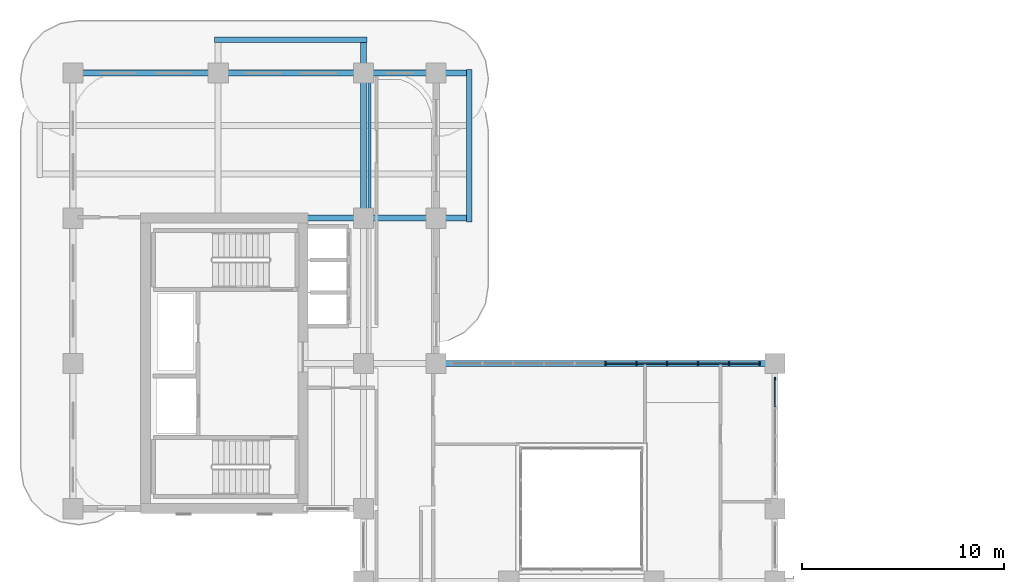
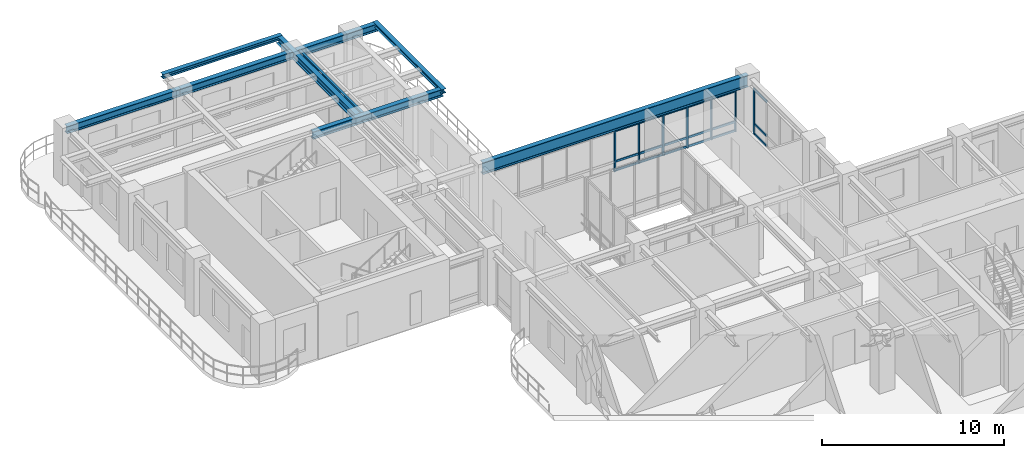
# One storey, part 6 of 20: 25 members, 8 beams, 2 elements without a shape of their own.
"""IFC4 building model written with IfcOpenShell, lengths in metres."""

from ifc_helpers import new_model, si_unit, derived_unit, direction, frame, origin, origin_2d, place, context, subcontext, project, spatial, rectangle, i_section, extrude, source, transform, mapped, material, layer, layer_set, material_profile, profile_set, type_object, type_shapes, element, aggregate, save


model = new_model("IFC4")

# Units and contexts
model_context = context("Model", 3, precision=1e-05, world=origin(), true_north=direction((0.0, 1.0)))
body_context = subcontext(model_context, "Body", "Model", "MODEL_VIEW")
ifc_project = project(units=[si_unit("LENGTHUNIT", "METRE"), si_unit("AREAUNIT", "SQUARE_METRE"), si_unit("VOLUMEUNIT", "CUBIC_METRE"), si_unit("PLANEANGLEUNIT", "RADIAN"), si_unit("MASSUNIT", "GRAM", prefix="KILO"), si_unit("THERMODYNAMICTEMPERATUREUNIT", "KELVIN"), si_unit("POWERUNIT", "WATT"), derived_unit("THERMALTRANSMITTANCEUNIT", [(si_unit("POWERUNIT", "WATT"), 1), (si_unit("AREAUNIT", "SQUARE_METRE"), -1), (si_unit("THERMODYNAMICTEMPERATUREUNIT", "KELVIN"), -1)])], contexts=[model_context])

# Site, building, storey
site_placement = place(None, origin())
site = spatial("IfcSite", under=ifc_project, at=site_placement, CompositionType="ELEMENT")
building_placement = place(site_placement, origin())
building = spatial("IfcBuilding", under=site, at=building_placement, Name="Zahravan Archway Hotel and Residences", CompositionType="ELEMENT")
storey_placement = place(building_placement, frame((0.0, 0.0, 154.14990234375)))
storey = spatial("IfcBuildingStorey", under=building, at=storey_placement, Name="L38", CompositionType="ELEMENT", Elevation=154.14990234375)

# Beams
ifc_material_1 = material(Name="Structural Steel S355JR", Category="steel")
ifc_material_profile_1 = material_profile(ifc_material_1, i_section(OverallWidth=0.280029296875, OverallDepth=0.280029296875, WebThickness=0.010498046875, FlangeThickness=0.01806640625, FilletRadius=0.02392578125, at=origin_2d()), Name="HEB 280", Category="steel")
ifc_profile_set_1 = profile_set([ifc_material_profile_1], Name="Structural Steel S355JR")
beam_type_1 = type_object("IfcBeamType", Name="BM-SPN-HEB280", PredefinedType="SPANDREL", material=ifc_profile_set_1)
shared_shape_1 = source(origin(), body_context, "Body", "SweptSolid", [
    extrude(i_section(OverallWidth=0.280029296875, OverallDepth=0.280029296875, WebThickness=0.010498046875, FlangeThickness=0.01806640625, FilletRadius=0.02392578125, at=origin_2d()), origin(), (0.0, 0.0, 1.0), 7.56005859375),
])
type_shapes(beam_type_1, [shared_shape_1])
for number, where, z_axis, x_axis, name in (
    (1, (19.64990234375, 39.419921875, 3.460205078125), (0.0, 1.0, 0.0), (-1.0, 0.0, 0.0), "L39 EB Balcony Edge Spandrel"),
    (2, (7.02001953125, 48.449951171875, 3.460205078125), (1.0, 0.0, 0.0), (0.0, 1.0, 0.0), "L39 NB Balcony Edge Spandrel"),
):
    element("IfcBeam", number, at=place(storey_placement, frame(where, z_axis=z_axis, x_axis=x_axis)), inside=storey, type_object=beam_type_1, Name=name, PredefinedType="SPANDREL", context=body_context, shape_type="MappedRepresentation", body=[
        mapped(shared_shape_1, transform((0.0, 0.0, 0.0), scale=1.0)),
    ])
ifc_material_2 = material(Name="Structural Steel S355J2", Category="steel")
ifc_material_profile_2 = material_profile(ifc_material_2, i_section(OverallWidth=0.300048828125, OverallDepth=0.800048828125, WebThickness=0.017578125, FlangeThickness=0.032958984375, FilletRadius=0.030029296875, at=origin_2d()), Name="HEB 800", Category="steel")
ifc_profile_set_2 = profile_set([ifc_material_profile_2], Name="Structural Steel S355J2")
beam_type_2 = type_object("IfcBeamType", Name="BM-PRI-HEB800", PredefinedType="BEAM", material=ifc_profile_set_2)
shared_shape_2 = source(origin(), body_context, "Body", "SweptSolid", [
    extrude(i_section(OverallWidth=0.300048828125, OverallDepth=0.800048828125, WebThickness=0.017578125, FlangeThickness=0.032958984375, FilletRadius=0.030029296875, at=origin_2d()), origin(), (0.0, 0.0, 1.0), 16.800048828125),
])
type_shapes(beam_type_2, [shared_shape_2])
beam_1_placement = place(storey_placement, frame((18.0, 32.39990234375, 3.2001953125), z_axis=(1.0, 0.0, 0.0), x_axis=(0.0, 1.0, 0.0)))
element("IfcBeam", 3, at=beam_1_placement, inside=storey, type_object=beam_type_2, Name="L38 Primary Girder EW-18", PredefinedType="BEAM", context=body_context, shape_type="MappedRepresentation", body=[
    mapped(shared_shape_2, transform((0.0, 0.0, 0.0), scale=1.0)),
])
ifc_material_profile_3 = material_profile(ifc_material_1, i_section(OverallWidth=0.300048828125, OverallDepth=0.5, WebThickness=0.014404296875, FlangeThickness=0.028076171875, FilletRadius=0.027099609375, at=origin_2d()), Name="HEB 500", Category="steel")
ifc_profile_set_3 = profile_set([ifc_material_profile_3], Name="Structural Steel S355JR")
beam_type_3 = type_object("IfcBeamType", Name="BM-PRI-HEB500", PredefinedType="BEAM", material=ifc_profile_set_3)
shared_shape_3 = source(origin(), body_context, "Body", "SweptSolid", [
    extrude(i_section(OverallWidth=0.300048828125, OverallDepth=0.5, WebThickness=0.014404296875, FlangeThickness=0.028076171875, FilletRadius=0.027099609375, at=origin_2d()), origin(), (0.0, 0.0, 1.0), 7.199951171875),
])
beam_2_placement = place(storey_placement, frame((0.0, 46.800048828125, 3.35009765625), z_axis=(1.0, 0.0, 0.0), x_axis=(0.0, 1.0, 0.0)))
element("IfcBeam", 4, at=beam_2_placement, inside=storey, type_object=beam_type_3, Name="L38 Primary Girder EW-20", PredefinedType="BEAM", context=body_context, shape_type="MappedRepresentation", body=[
    mapped(shared_shape_3, transform((0.0, 0.0, 0.0), scale=1.0)),
])
shared_shape_4 = source(origin(), body_context, "Body", "SweptSolid", [
    extrude(i_section(OverallWidth=0.300048828125, OverallDepth=0.5, WebThickness=0.014404296875, FlangeThickness=0.028076171875, FilletRadius=0.027099609375, at=origin_2d()), origin(), (0.0, 0.0, 1.0), 8.25),
])
beam_3_placement = place(storey_placement, frame((11.39990234375, 39.60009765625, 3.35009765625), z_axis=(1.0, 0.0, 0.0), x_axis=(0.0, 1.0, 0.0)))
element("IfcBeam", 5, at=beam_3_placement, inside=storey, type_object=beam_type_3, Name="L38 Primary Girder EW-19", PredefinedType="BEAM", context=body_context, shape_type="MappedRepresentation", body=[
    mapped(shared_shape_4, transform((0.0, 0.0, 0.0), scale=1.0)),
])
shared_shape_5 = source(origin(), body_context, "Body", "SweptSolid", [
    extrude(i_section(OverallWidth=0.300048828125, OverallDepth=0.5, WebThickness=0.014404296875, FlangeThickness=0.028076171875, FilletRadius=0.027099609375, at=origin_2d()), origin(), (0.0, 0.0, 1.0), 12.449951171875),
])
beam_4_placement = place(storey_placement, frame((7.199951171875, 46.800048828125, 3.35009765625), z_axis=(1.0, 0.0, 0.0), x_axis=(0.0, 1.0, 0.0)))
element("IfcBeam", 6, at=beam_4_placement, inside=storey, type_object=beam_type_3, Name="L38 Primary Girder EW-21", PredefinedType="BEAM", context=body_context, shape_type="MappedRepresentation", body=[
    mapped(shared_shape_5, transform((0.0, 0.0, 0.0), scale=1.0)),
])
shared_shape_6 = source(origin(), body_context, "Body", "SweptSolid", [
    extrude(i_section(OverallWidth=0.300048828125, OverallDepth=0.5, WebThickness=0.014404296875, FlangeThickness=0.028076171875, FilletRadius=0.027099609375, at=origin_2d()), origin(), (0.0, 0.0, 1.0), 8.849853515625),
])
beam_5_placement = place(storey_placement, frame((14.39990234375, 39.60009765625, 3.35009765625), z_axis=(0.0, 1.0, 0.0), x_axis=(-1.0, 0.0, 0.0)))
element("IfcBeam", 7, at=beam_5_placement, inside=storey, type_object=beam_type_3, Name="L38 Primary Girder NS-34", PredefinedType="BEAM", context=body_context, shape_type="MappedRepresentation", body=[
    mapped(shared_shape_6, transform((0.0, 0.0, 0.0), scale=1.0)),
])
ifc_material_profile_4 = material_profile(ifc_material_1, i_section(OverallWidth=0.14990234375, OverallDepth=0.300048828125, WebThickness=0.007080078125, FlangeThickness=0.0107421875, FilletRadius=0.014892578125, at=origin_2d()), Name="IPE 300", Category="steel")
ifc_profile_set_4 = profile_set([ifc_material_profile_4], Name="Structural Steel S355JR")
beam_type_4 = type_object("IfcBeamType", Name="BM-JST-IPE300", PredefinedType="JOIST", material=ifc_profile_set_4)
shared_shape_7 = source(origin(), body_context, "Body", "SweptSolid", [
    extrude(i_section(OverallWidth=0.14990234375, OverallDepth=0.300048828125, WebThickness=0.007080078125, FlangeThickness=0.0107421875, FilletRadius=0.014892578125, at=origin_2d()), origin(), (0.0, 0.0, 1.0), 6.904052734375),
])
type_shapes(beam_type_4, [shared_shape_7])
beam_6_placement = place(storey_placement, frame((14.699951171875, 39.748046875, 3.4501953125), z_axis=(0.0, 1.0, 0.0), x_axis=(-1.0, 0.0, 0.0)))
element("IfcBeam", 8, at=beam_6_placement, inside=storey, type_object=beam_type_4, Name="L38 Composite Floor Joist 12", PredefinedType="JOIST", context=body_context, shape_type="MappedRepresentation", body=[
    mapped(shared_shape_7, transform((0.0, 0.0, 0.0), scale=1.0)),
])

# Curtain wall, members
ifc_material_3 = material(Name="Bronze-Anodized Unitised Aluminium & Low-E Glass", Category="aluminium")
ifc_layer = layer(ifc_material_3, 0.179931640625, Name="Bronze-Anodized Unitised Aluminium & Low-E Glass", Category="aluminium")
ifc_layer_set = layer_set([ifc_layer], Name="Bronze-Anodized Unitised Aluminium & Low-E Glass")
curtain_wall_type = type_object("IfcCurtainWallType", Name="CW-ATR-GLAZ", PredefinedType="NOTDEFINED", material=ifc_layer_set)
curtain_wall_1_placement = place(storey_placement, origin())
curtain_wall_1 = element("IfcCurtainWall", 9, at=curtain_wall_1_placement, inside=storey, type_object=curtain_wall_type, Name="L38 Curtain Wall CW-L38-HNG-E-2", PredefinedType="NOTDEFINED")
ifc_material_4 = material(Name="Bronze-Anodized Extruded Aluminium", Category="aluminium")
ifc_material_profile_5 = material_profile(ifc_material_4, rectangle(XDim=0.080078125, YDim=0.139892578125, at=origin_2d()), Name="TRN 80x140", Category="aluminium")
ifc_profile_set_5 = profile_set([ifc_material_profile_5], Name="Bronze-Anodized Extruded Aluminium")
member_type_1 = type_object("IfcMemberType", Name="CWM-TRN-140", PredefinedType="USERDEFINED", material=ifc_profile_set_5)
shared_shape_8 = source(origin(), body_context, "Body", "SweptSolid", [
    extrude(rectangle(XDim=0.080078125, YDim=0.139892578125, at=origin_2d()), origin(), (0.0, 0.0, 1.0), 1.340087890625),
])
member_1_placement = place(storey_placement, frame((34.800048828125, 30.260009765625, 0.070068359375), z_axis=(0.0, 1.0, 0.0), x_axis=(-1.0, 0.0, 0.0)))
member_1 = element("IfcMember", 10, at=member_1_placement, type_object=member_type_1, Name="CW-L38-HNG-E-2 Transom 3-1", ObjectType="TRANSOM", PredefinedType="USERDEFINED", context=body_context, shape_type="MappedRepresentation", body=[
    mapped(shared_shape_8, transform((0.0, 0.0, 0.0), scale=1.0)),
])
member_2_placement = place(storey_placement, frame((34.800048828125, 30.260009765625, 0.740478515625), z_axis=(0.0, 1.0, 0.0), x_axis=(-1.0, 0.0, 0.0)))
member_2 = element("IfcMember", 11, at=member_2_placement, type_object=member_type_1, Name="CW-L38-HNG-E-2 Transom 3-2", ObjectType="TRANSOM", PredefinedType="USERDEFINED", context=body_context, shape_type="MappedRepresentation", body=[
    mapped(shared_shape_8, transform((0.0, 0.0, 0.0), scale=1.0)),
])
member_3_placement = place(storey_placement, frame((34.800048828125, 30.260009765625, 3.01513671875), z_axis=(0.0, 1.0, 0.0), x_axis=(-1.0, 0.0, 0.0)))
member_3 = element("IfcMember", 12, at=member_3_placement, type_object=member_type_1, Name="CW-L38-HNG-E-2 Transom 3-3", ObjectType="TRANSOM", PredefinedType="USERDEFINED", context=body_context, shape_type="MappedRepresentation", body=[
    mapped(shared_shape_8, transform((0.0, 0.0, 0.0), scale=1.0)),
])

curtain_wall_2_placement = place(storey_placement, origin())
curtain_wall_2 = element("IfcCurtainWall", 13, at=curtain_wall_2_placement, inside=storey, type_object=curtain_wall_type, Name="L38 Curtain Wall CW-L38-HNG-N-1", PredefinedType="NOTDEFINED")
shared_shape_9 = source(origin(), body_context, "Body", "SweptSolid", [
    extrude(rectangle(XDim=0.080078125, YDim=0.139892578125, at=origin_2d()), origin(), (0.0, 0.0, 1.0), 1.447998046875),
])
member_4_placement = place(storey_placement, frame((26.43994140625, 32.39990234375, 0.070068359375), z_axis=(1.0, 0.0, 0.0), x_axis=(0.0, 1.0, 0.0)))
member_4 = element("IfcMember", 14, at=member_4_placement, type_object=member_type_1, Name="CW-L38-HNG-N-1 Transom 5-1", ObjectType="TRANSOM", PredefinedType="USERDEFINED", context=body_context, shape_type="MappedRepresentation", body=[
    mapped(shared_shape_9, transform((0.0, 0.0, 0.0), scale=1.0)),
])
member_5_placement = place(storey_placement, frame((26.43994140625, 32.39990234375, 0.66845703125), z_axis=(1.0, 0.0, 0.0), x_axis=(0.0, 1.0, 0.0)))
member_5 = element("IfcMember", 15, at=member_5_placement, type_object=member_type_1, Name="CW-L38-HNG-N-1 Transom 5-2", ObjectType="TRANSOM", PredefinedType="USERDEFINED", context=body_context, shape_type="MappedRepresentation", body=[
    mapped(shared_shape_9, transform((0.0, 0.0, 0.0), scale=1.0)),
])
member_6_placement = place(storey_placement, frame((26.43994140625, 32.39990234375, 2.715087890625), z_axis=(1.0, 0.0, 0.0), x_axis=(0.0, 1.0, 0.0)))
member_6 = element("IfcMember", 16, at=member_6_placement, type_object=member_type_1, Name="CW-L38-HNG-N-1 Transom 5-3", ObjectType="TRANSOM", PredefinedType="USERDEFINED", context=body_context, shape_type="MappedRepresentation", body=[
    mapped(shared_shape_9, transform((0.0, 0.0, 0.0), scale=1.0)),
])
member_7_placement = place(storey_placement, frame((27.968017578125, 32.39990234375, 0.070068359375), z_axis=(1.0, 0.0, 0.0), x_axis=(0.0, 1.0, 0.0)))
member_7 = element("IfcMember", 17, at=member_7_placement, type_object=member_type_1, Name="CW-L38-HNG-N-1 Transom 6-1", ObjectType="TRANSOM", PredefinedType="USERDEFINED", context=body_context, shape_type="MappedRepresentation", body=[
    mapped(shared_shape_9, transform((0.0, 0.0, 0.0), scale=1.0)),
])
member_8_placement = place(storey_placement, frame((27.968017578125, 32.39990234375, 0.66845703125), z_axis=(1.0, 0.0, 0.0), x_axis=(0.0, 1.0, 0.0)))
member_8 = element("IfcMember", 18, at=member_8_placement, type_object=member_type_1, Name="CW-L38-HNG-N-1 Transom 6-2", ObjectType="TRANSOM", PredefinedType="USERDEFINED", context=body_context, shape_type="MappedRepresentation", body=[
    mapped(shared_shape_9, transform((0.0, 0.0, 0.0), scale=1.0)),
])
member_9_placement = place(storey_placement, frame((27.968017578125, 32.39990234375, 2.715087890625), z_axis=(1.0, 0.0, 0.0), x_axis=(0.0, 1.0, 0.0)))
member_9 = element("IfcMember", 19, at=member_9_placement, type_object=member_type_1, Name="CW-L38-HNG-N-1 Transom 6-3", ObjectType="TRANSOM", PredefinedType="USERDEFINED", context=body_context, shape_type="MappedRepresentation", body=[
    mapped(shared_shape_9, transform((0.0, 0.0, 0.0), scale=1.0)),
])
member_10_placement = place(storey_placement, frame((29.49609375, 32.39990234375, 0.070068359375), z_axis=(1.0, 0.0, 0.0), x_axis=(0.0, 1.0, 0.0)))
member_10 = element("IfcMember", 20, at=member_10_placement, type_object=member_type_1, Name="CW-L38-HNG-N-1 Transom 7-1", ObjectType="TRANSOM", PredefinedType="USERDEFINED", context=body_context, shape_type="MappedRepresentation", body=[
    mapped(shared_shape_9, transform((0.0, 0.0, 0.0), scale=1.0)),
])
member_11_placement = place(storey_placement, frame((29.49609375, 32.39990234375, 0.66845703125), z_axis=(1.0, 0.0, 0.0), x_axis=(0.0, 1.0, 0.0)))
member_11 = element("IfcMember", 21, at=member_11_placement, type_object=member_type_1, Name="CW-L38-HNG-N-1 Transom 7-2", ObjectType="TRANSOM", PredefinedType="USERDEFINED", context=body_context, shape_type="MappedRepresentation", body=[
    mapped(shared_shape_9, transform((0.0, 0.0, 0.0), scale=1.0)),
])
member_12_placement = place(storey_placement, frame((29.49609375, 32.39990234375, 2.715087890625), z_axis=(1.0, 0.0, 0.0), x_axis=(0.0, 1.0, 0.0)))
member_12 = element("IfcMember", 22, at=member_12_placement, type_object=member_type_1, Name="CW-L38-HNG-N-1 Transom 7-3", ObjectType="TRANSOM", PredefinedType="USERDEFINED", context=body_context, shape_type="MappedRepresentation", body=[
    mapped(shared_shape_9, transform((0.0, 0.0, 0.0), scale=1.0)),
])
member_13_placement = place(storey_placement, frame((31.02392578125, 32.39990234375, 0.070068359375), z_axis=(1.0, 0.0, 0.0), x_axis=(0.0, 1.0, 0.0)))
member_13 = element("IfcMember", 23, at=member_13_placement, type_object=member_type_1, Name="CW-L38-HNG-N-1 Transom 8-1", ObjectType="TRANSOM", PredefinedType="USERDEFINED", context=body_context, shape_type="MappedRepresentation", body=[
    mapped(shared_shape_9, transform((0.0, 0.0, 0.0), scale=1.0)),
])
member_14_placement = place(storey_placement, frame((31.02392578125, 32.39990234375, 0.66845703125), z_axis=(1.0, 0.0, 0.0), x_axis=(0.0, 1.0, 0.0)))
member_14 = element("IfcMember", 24, at=member_14_placement, type_object=member_type_1, Name="CW-L38-HNG-N-1 Transom 8-2", ObjectType="TRANSOM", PredefinedType="USERDEFINED", context=body_context, shape_type="MappedRepresentation", body=[
    mapped(shared_shape_9, transform((0.0, 0.0, 0.0), scale=1.0)),
])
member_15_placement = place(storey_placement, frame((31.02392578125, 32.39990234375, 2.715087890625), z_axis=(1.0, 0.0, 0.0), x_axis=(0.0, 1.0, 0.0)))
member_15 = element("IfcMember", 25, at=member_15_placement, type_object=member_type_1, Name="CW-L38-HNG-N-1 Transom 8-3", ObjectType="TRANSOM", PredefinedType="USERDEFINED", context=body_context, shape_type="MappedRepresentation", body=[
    mapped(shared_shape_9, transform((0.0, 0.0, 0.0), scale=1.0)),
])
member_16_placement = place(storey_placement, frame((32.552001953125, 32.39990234375, 0.070068359375), z_axis=(1.0, 0.0, 0.0), x_axis=(0.0, 1.0, 0.0)))
member_16 = element("IfcMember", 26, at=member_16_placement, type_object=member_type_1, Name="CW-L38-HNG-N-1 Transom 9-1", ObjectType="TRANSOM", PredefinedType="USERDEFINED", context=body_context, shape_type="MappedRepresentation", body=[
    mapped(shared_shape_9, transform((0.0, 0.0, 0.0), scale=1.0)),
])
member_17_placement = place(storey_placement, frame((32.552001953125, 32.39990234375, 0.66845703125), z_axis=(1.0, 0.0, 0.0), x_axis=(0.0, 1.0, 0.0)))
member_17 = element("IfcMember", 27, at=member_17_placement, type_object=member_type_1, Name="CW-L38-HNG-N-1 Transom 9-2", ObjectType="TRANSOM", PredefinedType="USERDEFINED", context=body_context, shape_type="MappedRepresentation", body=[
    mapped(shared_shape_9, transform((0.0, 0.0, 0.0), scale=1.0)),
])
member_18_placement = place(storey_placement, frame((32.552001953125, 32.39990234375, 2.715087890625), z_axis=(1.0, 0.0, 0.0), x_axis=(0.0, 1.0, 0.0)))
member_18 = element("IfcMember", 28, at=member_18_placement, type_object=member_type_1, Name="CW-L38-HNG-N-1 Transom 9-3", ObjectType="TRANSOM", PredefinedType="USERDEFINED", context=body_context, shape_type="MappedRepresentation", body=[
    mapped(shared_shape_9, transform((0.0, 0.0, 0.0), scale=1.0)),
])

# Member
ifc_material_profile_6 = material_profile(ifc_material_4, rectangle(XDim=0.080078125, YDim=0.159912109375, at=origin_2d()), Name="MUL 80x160", Category="aluminium")
ifc_profile_set_6 = profile_set([ifc_material_profile_6], Name="Bronze-Anodized Extruded Aluminium")
member_type_2 = type_object("IfcMemberType", Name="CWM-MUL-160", PredefinedType="MULLION", material=ifc_profile_set_6)
shared_shape_10 = source(origin(), body_context, "Body", "SweptSolid", [
    extrude(rectangle(XDim=0.080078125, YDim=0.159912109375, at=origin_2d()), origin(), (0.0, 0.0, 1.0), 3.085205078125),
])
member_19_placement = place(storey_placement, frame((34.800048828125, 31.639892578125, 0.0), z_axis=(0.0, 0.0, 1.0), x_axis=(1.0, 0.0, 0.0)))
member_19 = element("IfcMember", 29, at=member_19_placement, type_object=member_type_2, Name="CW-L38-HNG-E-2 Mullion 4", PredefinedType="MULLION", context=body_context, shape_type="MappedRepresentation", body=[
    mapped(shared_shape_10, transform((0.0, 0.0, 0.0), scale=1.0)),
])

aggregate(curtain_wall_1, [member_19, member_1, member_2, member_3])

shared_shape_11 = source(origin(), body_context, "Body", "SweptSolid", [
    extrude(rectangle(XDim=0.080078125, YDim=0.159912109375, at=origin_2d()), origin(), (0.0, 0.0, 1.0), 2.78515625),
])
member_20_placement = place(storey_placement, frame((26.39990234375, 32.39990234375, 0.0), z_axis=(0.0, 0.0, 1.0), x_axis=(1.0, 0.0, 0.0)))
member_20 = element("IfcMember", 30, at=member_20_placement, type_object=member_type_2, Name="CW-L38-HNG-N-1 Mullion 5", PredefinedType="MULLION", context=body_context, shape_type="MappedRepresentation", body=[
    mapped(shared_shape_11, transform((0.0, 0.0, 0.0), scale=1.0)),
])

member_21_placement = place(storey_placement, frame((27.927978515625, 32.39990234375, 0.0), z_axis=(0.0, 0.0, 1.0), x_axis=(1.0, 0.0, 0.0)))
member_21 = element("IfcMember", 31, at=member_21_placement, type_object=member_type_2, Name="CW-L38-HNG-N-1 Mullion 6", PredefinedType="MULLION", context=body_context, shape_type="MappedRepresentation", body=[
    mapped(shared_shape_11, transform((0.0, 0.0, 0.0), scale=1.0)),
])

member_22_placement = place(storey_placement, frame((29.4560546875, 32.39990234375, 0.0), z_axis=(0.0, 0.0, 1.0), x_axis=(1.0, 0.0, 0.0)))
member_22 = element("IfcMember", 32, at=member_22_placement, type_object=member_type_2, Name="CW-L38-HNG-N-1 Mullion 7", PredefinedType="MULLION", context=body_context, shape_type="MappedRepresentation", body=[
    mapped(shared_shape_11, transform((0.0, 0.0, 0.0), scale=1.0)),
])

member_23_placement = place(storey_placement, frame((30.98388671875, 32.39990234375, 0.0), z_axis=(0.0, 0.0, 1.0), x_axis=(1.0, 0.0, 0.0)))
member_23 = element("IfcMember", 33, at=member_23_placement, type_object=member_type_2, Name="CW-L38-HNG-N-1 Mullion 8", PredefinedType="MULLION", context=body_context, shape_type="MappedRepresentation", body=[
    mapped(shared_shape_11, transform((0.0, 0.0, 0.0), scale=1.0)),
])

member_24_placement = place(storey_placement, frame((32.511962890625, 32.39990234375, 0.0), z_axis=(0.0, 0.0, 1.0), x_axis=(1.0, 0.0, 0.0)))
member_24 = element("IfcMember", 34, at=member_24_placement, type_object=member_type_2, Name="CW-L38-HNG-N-1 Mullion 9", PredefinedType="MULLION", context=body_context, shape_type="MappedRepresentation", body=[
    mapped(shared_shape_11, transform((0.0, 0.0, 0.0), scale=1.0)),
])

member_25_placement = place(storey_placement, frame((34.0400390625, 32.39990234375, 0.0), z_axis=(0.0, 0.0, 1.0), x_axis=(1.0, 0.0, 0.0)))
member_25 = element("IfcMember", 35, at=member_25_placement, type_object=member_type_2, Name="CW-L38-HNG-N-1 Mullion 10", PredefinedType="MULLION", context=body_context, shape_type="MappedRepresentation", body=[
    mapped(shared_shape_11, transform((0.0, 0.0, 0.0), scale=1.0)),
])

aggregate(curtain_wall_2, [member_20, member_21, member_22, member_23, member_24, member_25, member_4, member_5, member_6, member_7, member_8, member_9, member_10, member_11, member_12, member_13, member_14, member_15, member_16, member_17, member_18])

save(model, "model.ifc")
